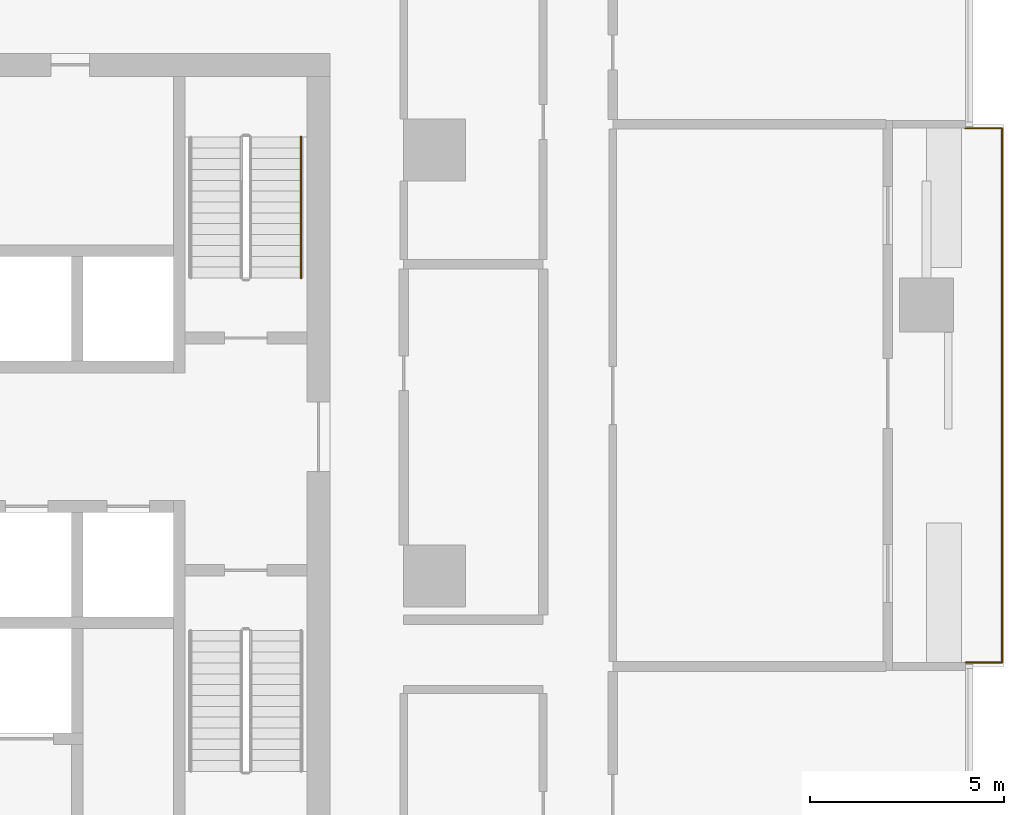
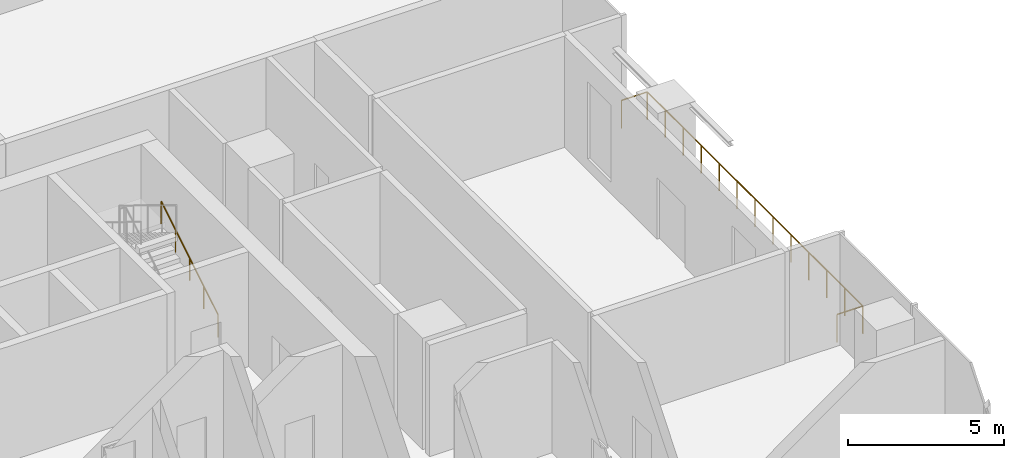
# One storey, part 15 of 15: 2 railings.
"""IFC4 building model written with IfcOpenShell, lengths in metres."""

from ifc_helpers import new_model, si_unit, direction, frame, origin, origin_2d, place, context, subcontext, project, spatial, circle, extrude, material, type_object, element, save


model = new_model("IFC4")

# Units and contexts
model_context = context("Model", 3, precision=1e-05, world=origin(), true_north=direction((0.0, 1.0)))
body_context = subcontext(model_context, "Body", "Model", "MODEL_VIEW")
ifc_project = project(units=[si_unit("LENGTHUNIT", "METRE"), si_unit("AREAUNIT", "SQUARE_METRE"), si_unit("VOLUMEUNIT", "CUBIC_METRE"), si_unit("PLANEANGLEUNIT", "RADIAN"), si_unit("MASSUNIT", "GRAM", prefix="KILO")], contexts=[model_context])

# Site, building, storey
site_placement = place(None, origin())
site = spatial("IfcSite", under=ifc_project, at=site_placement, CompositionType="ELEMENT")
building_placement = place(site_placement, origin())
building = spatial("IfcBuilding", under=site, at=building_placement, Name="Mopane Tessera Tower", CompositionType="ELEMENT")
storey_placement = place(building_placement, frame((0.0, 0.0, 69.39990234375)))
storey = spatial("IfcBuildingStorey", under=building, at=storey_placement, Name="L13", CompositionType="ELEMENT", Elevation=69.39990234375)

# Railings
ifc_material_1 = material(Name="Powder-coated steel balustrade", Category="steel")
railing_type_1 = type_object("IfcRailingType", Name="Escape stair handrail 900 mm", PredefinedType="HANDRAIL", material=ifc_material_1)
railing_1_placement = place(storey_placement, frame((13.64990234375, 7.699951171875, 0.171630859375)))
element("IfcRailing", 1, at=railing_1_placement, inside=storey, type_object=railing_type_1, Name="L13 ST4 stair handrail 1", PredefinedType="HANDRAIL", context=body_context, shape_type="SweptSolid", body=[
    extrude(circle(Radius=0.02392578125, at=origin_2d()), frame((0.0, 0.0, 0.8759765625), z_axis=(0.0, 0.852865859571, 0.52213008492), x_axis=(-1.0, 0.0, 0.0)), (0.0, 0.0, 1.0), 4.26806640625),
    extrude(circle(Radius=0.02099609375, at=origin_2d()), origin(), (0.0, 0.0, 1.0), 0.851806640625),
    extrude(circle(Radius=0.02099609375, at=origin_2d()), frame((0.0, 0.91015625, 0.55712890625)), (0.0, 0.0, 1.0), 0.851806640625),
    extrude(circle(Radius=0.02099609375, at=origin_2d()), frame((0.0, 1.820068359375, 1.1142578125)), (0.0, 0.0, 1.0), 0.851806640625),
    extrude(circle(Radius=0.02099609375, at=origin_2d()), frame((0.0, 2.72998046875, 1.67138671875)), (0.0, 0.0, 1.0), 0.851806640625),
    extrude(circle(Radius=0.02099609375, at=origin_2d()), frame((0.0, 3.64013671875, 2.228515625)), (0.0, 0.0, 1.0), 0.851806640625),
])
ifc_material_2 = material(Name="Stainless steel S316", Category="steel")
railing_type_2 = type_object("IfcRailingType", Name="Terrace guard 1100", PredefinedType="GUARDRAIL", material=ifc_material_2)
railing_2_placement = place(storey_placement, frame((30.800048828125, -2.2333984375, 0.0)))
element("IfcRailing", 2, at=railing_2_placement, inside=storey, type_object=railing_type_2, Name="e:nw:L13:N1:guard", PredefinedType="GUARDRAIL", context=body_context, shape_type="SweptSolid", body=[
    extrude(circle(Radius=0.02392578125, at=origin_2d()), frame((0.0, 0.0, 1.076171875), z_axis=(1.0, 0.0, 0.0), x_axis=(0.0, 1.0, 0.0)), (0.0, 0.0, 1.0), 0.949951171875),
    extrude(circle(Radius=0.02392578125, at=origin_2d()), frame((0.949951171875, 0.0, 1.076171875), z_axis=(0.0, 1.0, 0.0), x_axis=(-1.0, 0.0, 0.0)), (0.0, 0.0, 1.0), 13.800048828125),
    extrude(circle(Radius=0.02392578125, at=origin_2d()), frame((0.949951171875, 13.800048828125, 1.076171875), z_axis=(-1.0, 0.0, 0.0), x_axis=(0.0, -1.0, 0.0)), (0.0, 0.0, 1.0), 0.949951171875),
    extrude(circle(Radius=0.02099609375, at=origin_2d()), origin(), (0.0, 0.0, 1.0), 1.052001953125),
    extrude(circle(Radius=0.02099609375, at=origin_2d()), frame((0.949951171875, 0.0, 0.0)), (0.0, 0.0, 1.0), 1.052001953125),
    extrude(circle(Radius=0.02099609375, at=origin_2d()), frame((0.949951171875, 1.14990234375, 0.0)), (0.0, 0.0, 1.0), 1.052001953125),
    extrude(circle(Radius=0.02099609375, at=origin_2d()), frame((0.949951171875, 2.300048828125, 0.0)), (0.0, 0.0, 1.0), 1.052001953125),
    extrude(circle(Radius=0.02099609375, at=origin_2d()), frame((0.949951171875, 3.449951171875, 0.0)), (0.0, 0.0, 1.0), 1.052001953125),
    extrude(circle(Radius=0.02099609375, at=origin_2d()), frame((0.949951171875, 4.60009765625, 0.0)), (0.0, 0.0, 1.0), 1.052001953125),
    extrude(circle(Radius=0.02099609375, at=origin_2d()), frame((0.949951171875, 5.75, 0.0)), (0.0, 0.0, 1.0), 1.052001953125),
    extrude(circle(Radius=0.02099609375, at=origin_2d()), frame((0.949951171875, 6.89990234375, 0.0)), (0.0, 0.0, 1.0), 1.052001953125),
    extrude(circle(Radius=0.02099609375, at=origin_2d()), frame((0.949951171875, 8.050048828125, 0.0)), (0.0, 0.0, 1.0), 1.052001953125),
    extrude(circle(Radius=0.02099609375, at=origin_2d()), frame((0.949951171875, 9.199951171875, 0.0)), (0.0, 0.0, 1.0), 1.052001953125),
    extrude(circle(Radius=0.02099609375, at=origin_2d()), frame((0.949951171875, 10.35009765625, 0.0)), (0.0, 0.0, 1.0), 1.052001953125),
    extrude(circle(Radius=0.02099609375, at=origin_2d()), frame((0.949951171875, 11.5, 0.0)), (0.0, 0.0, 1.0), 1.052001953125),
    extrude(circle(Radius=0.02099609375, at=origin_2d()), frame((0.949951171875, 12.650146484375, 0.0)), (0.0, 0.0, 1.0), 1.052001953125),
    extrude(circle(Radius=0.02099609375, at=origin_2d()), frame((0.949951171875, 13.800048828125, 0.0)), (0.0, 0.0, 1.0), 1.052001953125),
    extrude(circle(Radius=0.02099609375, at=origin_2d()), frame((0.0, 13.800048828125, 0.0)), (0.0, 0.0, 1.0), 1.052001953125),
])

save(model, "model.ifc")
